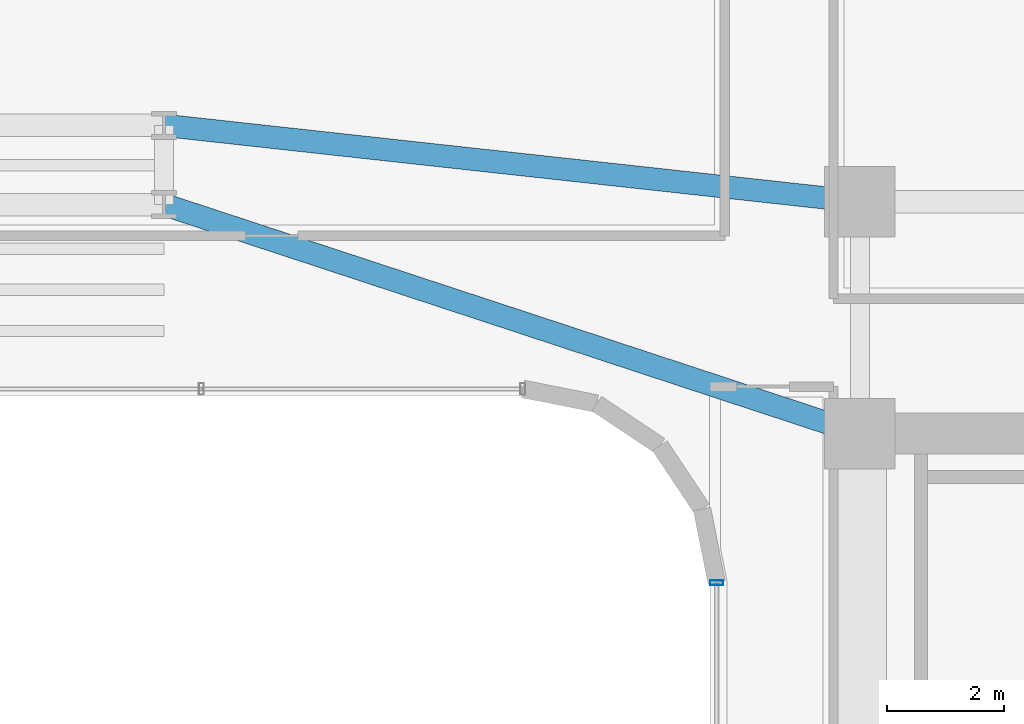
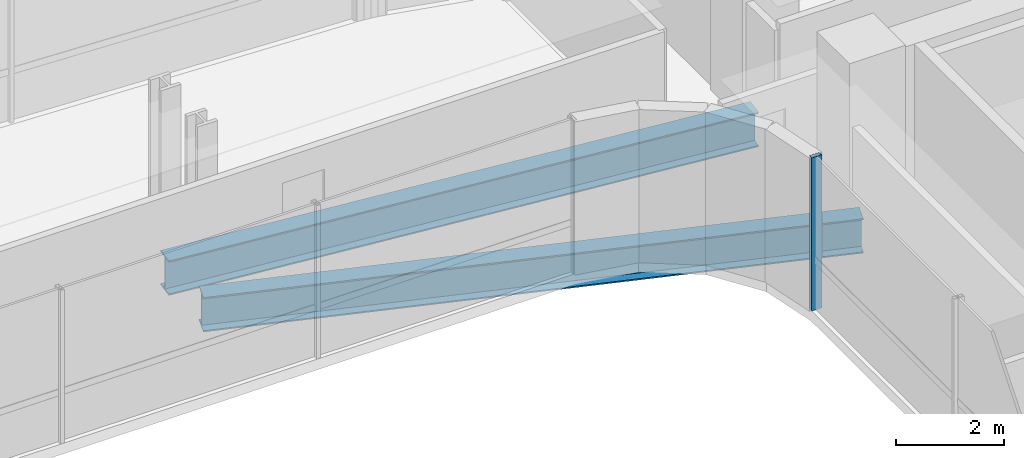
# One storey, part 15 of 34: 2 beams, 1 member, 1 element without a shape of its own.
"""IFC4 building model written with IfcOpenShell, lengths in metres."""

from ifc_helpers import new_model, si_unit, direction, frame, origin, origin_2d, place, context, subcontext, project, spatial, hollow_rectangle, i_section, extrude, source, transform, mapped, material, material_profile, profile_set, type_object, element, aggregate, save


model = new_model("IFC4")

# Units and contexts
model_context = context("Model", 3, precision=1e-05, world=origin(), true_north=direction((0.0, 1.0)))
body_context = subcontext(model_context, "Body", "Model", "MODEL_VIEW")
ifc_project = project(units=[si_unit("LENGTHUNIT", "METRE"), si_unit("AREAUNIT", "SQUARE_METRE"), si_unit("VOLUMEUNIT", "CUBIC_METRE"), si_unit("PLANEANGLEUNIT", "RADIAN"), si_unit("MASSUNIT", "GRAM", prefix="KILO")], contexts=[model_context])

# Site, building, storey
site_placement = place(None, origin())
site = spatial("IfcSite", under=ifc_project, at=site_placement, CompositionType="ELEMENT")
building_placement = place(site_placement, origin())
building = spatial("IfcBuilding", under=site, at=building_placement, Name="Valdorenza Pilgrim Sanctuary Tower", CompositionType="ELEMENT")
storey_placement = place(building_placement, frame((0.0, 0.0, 146.39990234375)))
storey = spatial("IfcBuildingStorey", under=building, at=storey_placement, Name="L37", CompositionType="ELEMENT", Elevation=146.39990234375)

# Beams
ifc_material_1 = material(Name="Steel ASTM A992 Grade 50", Category="steel")
ifc_material_profile_1 = material_profile(ifc_material_1, i_section(OverallWidth=0.382080078125, OverallDepth=0.779052734375, WebThickness=0.01806640625, FlangeThickness=0.030029296875, at=origin_2d()), Name="W30X191")
ifc_profile_set_1 = profile_set([ifc_material_profile_1], Name="Steel ASTM A992 Grade 50")
beam_type = type_object("IfcBeamType", Name="STR-BM-GRD-W30", PredefinedType="BEAM", material=ifc_profile_set_1)
shared_shape_1 = source(origin(), body_context, "Body", "SweptSolid", [
    extrude(i_section(OverallWidth=0.382080078125, OverallDepth=0.779052734375, WebThickness=0.01806640625, FlangeThickness=0.030029296875, at=origin_2d()), origin(), (0.0, 0.0, 1.0), 12.475341796875),
])
beam_1_placement = place(storey_placement, frame((4.0, 13.449951171875, -0.62939453125), z_axis=(0.949881908141, -0.312608957943, 0.0), x_axis=(0.312608957943, 0.949881908141, 0.0)))
element("IfcBeam", 1, at=beam_1_placement, inside=storey, type_object=beam_type, Name="L37 Floor Girder KNK-G3", PredefinedType="BEAM", context=body_context, shape_type="MappedRepresentation", body=[
    mapped(shared_shape_1, transform((0.0, 0.0, 0.0), x_axis=(1.0, 0.0, 0.0), y_axis=(0.0, 1.0, 0.0), z_axis=(0.0, 0.0, 1.0), scale=1.0)),
])
shared_shape_2 = source(origin(), body_context, "Body", "SweptSolid", [
    extrude(i_section(OverallWidth=0.382080078125, OverallDepth=0.779052734375, WebThickness=0.01806640625, FlangeThickness=0.030029296875, at=origin_2d()), origin(), (0.0, 0.0, 1.0), 11.921142578125),
])
beam_2_placement = place(storey_placement, frame((4.0, 14.800048828125, -0.62939453125), z_axis=(0.994035876607, -0.10905354656, 0.0), x_axis=(0.10905354656, 0.994035876607, 0.0)))
element("IfcBeam", 2, at=beam_2_placement, inside=storey, type_object=beam_type, Name="L37 Floor Girder KNK-G6", PredefinedType="BEAM", context=body_context, shape_type="MappedRepresentation", body=[
    mapped(shared_shape_2, transform((0.0, 0.0, 0.0), x_axis=(1.0, 0.0, 0.0), y_axis=(0.0, 1.0, 0.0), z_axis=(0.0, 0.0, 1.0), scale=1.0)),
])

# Curtain wall, member
ifc_material_2 = material(Name="Curtain-wall IGU glazing", Category="glass")
curtain_wall_type = type_object("IfcCurtainWallType", Name="CW-SYS-03", PredefinedType="NOTDEFINED", material=ifc_material_2)
curtain_wall_placement = place(storey_placement, origin())
curtain_wall = element("IfcCurtainWall", 3, at=curtain_wall_placement, inside=storey, type_object=curtain_wall_type, Name="L37 Curtain Wall CW-L37-1-31", PredefinedType="NOTDEFINED")
ifc_material_3 = material(Name="Anodised aluminium AW-6060", Category="aluminium")
ifc_material_profile_2 = material_profile(ifc_material_3, hollow_rectangle(XDim=0.0849609375, YDim=0.219970703125, WallThickness=0.0048828125, at=origin_2d()), Name="ALU-M 220x85x5")
ifc_profile_set_2 = profile_set([ifc_material_profile_2], Name="Anodised aluminium AW-6060")
member_type = type_object("IfcMemberType", Name="CW-MUL-03", PredefinedType="MULLION", material=ifc_profile_set_2)
shared_shape_3 = source(origin(), body_context, "Body", "SweptSolid", [
    extrude(hollow_rectangle(XDim=0.0849609375, YDim=0.219970703125, WallThickness=0.0048828125, at=origin_2d()), origin(), (0.0, 0.0, 1.0), 3.460205078125),
])
member_placement = place(storey_placement, frame((13.409912109375, 7.0107421875, 0.0), z_axis=(0.0, 0.0, 1.0), x_axis=(0.0, 1.0, 0.0)))
member = element("IfcMember", 4, at=member_placement, type_object=member_type, Name="CW-L37-1-31 Mullion 4", PredefinedType="MULLION", context=body_context, shape_type="MappedRepresentation", body=[
    mapped(shared_shape_3, transform((0.0, 0.0, 0.0), x_axis=(1.0, 0.0, 0.0), y_axis=(0.0, 1.0, 0.0), z_axis=(0.0, 0.0, 1.0), scale=1.0)),
])
aggregate(curtain_wall, [member])

save(model, "model.ifc")
